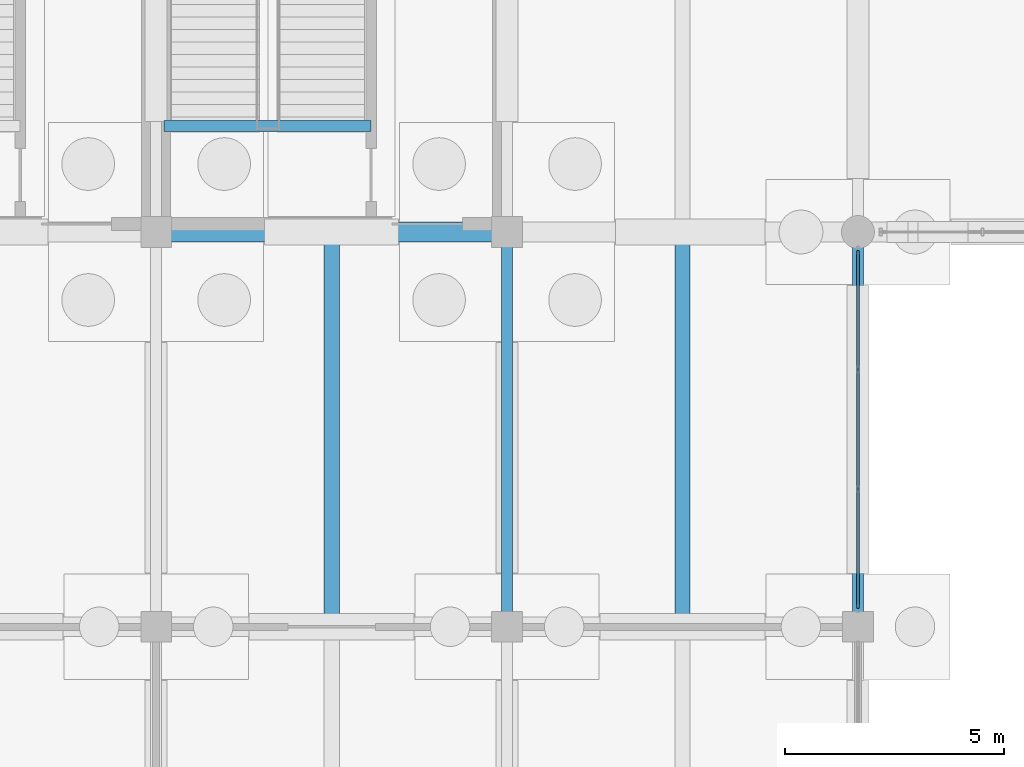
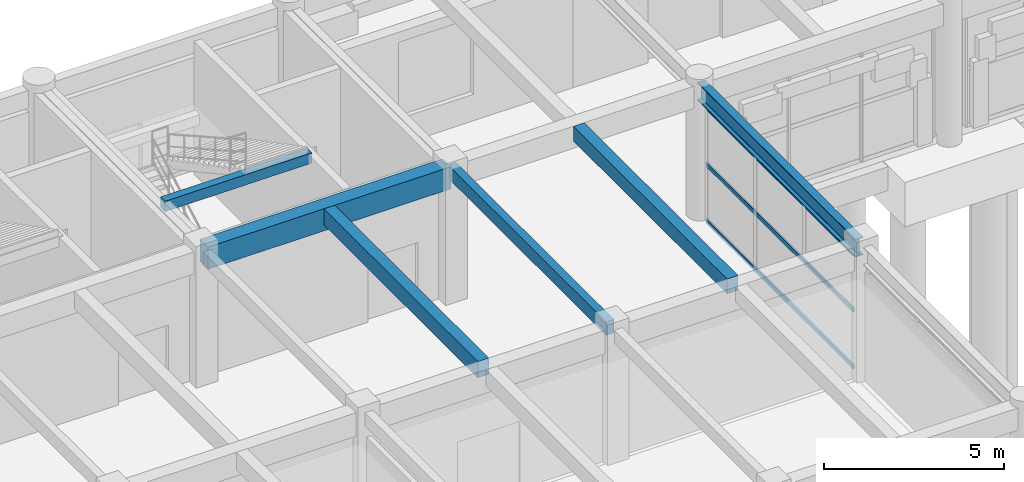
# One storey, part 53 of 147: 6 beams, 3 members, 1 element without a shape of its own.
"""IFC4 building model written with IfcOpenShell, lengths in metres."""

from ifc_helpers import new_model, si_unit, direction, frame, origin, origin_2d, place, context, subcontext, project, spatial, rectangle, hollow_rectangle, i_section, extrude, material, material_profile, profile_set, type_object, element, aggregate, save


model = new_model("IFC4")

# Units and contexts
model_context = context("Model", 3, precision=1e-05, world=origin(), true_north=direction((0.0, 1.0)))
body_context = subcontext(model_context, "Body", "Model", "MODEL_VIEW")
ifc_project = project(units=[si_unit("LENGTHUNIT", "METRE"), si_unit("AREAUNIT", "SQUARE_METRE"), si_unit("VOLUMEUNIT", "CUBIC_METRE"), si_unit("PLANEANGLEUNIT", "RADIAN"), si_unit("MASSUNIT", "GRAM", prefix="KILO")], contexts=[model_context])

# Site, building, storey
site_placement = place(None, origin())
site = spatial("IfcSite", under=ifc_project, at=site_placement, CompositionType="ELEMENT")
building_placement = place(site_placement, origin())
building = spatial("IfcBuilding", under=site, at=building_placement, Name="Varnabhumi Central Station", CompositionType="ELEMENT")
storey_placement = place(building_placement, origin())
storey = spatial("IfcBuildingStorey", under=building, at=storey_placement, Name="L00", CompositionType="ELEMENT", Elevation=0.0)

# Beams
ifc_material_1 = material(Name="Concrete M35", Category="concrete")
ifc_material_profile_1 = material_profile(ifc_material_1, rectangle(XDim=0.25, YDim=0.35009765625, at=origin_2d()), Name="Concrete M35", Category="concrete")
ifc_profile_set_1 = profile_set([ifc_material_profile_1], Name="Concrete M35")
beam_type_1 = type_object("IfcBeamType", Name="BM-RC-250x350", PredefinedType="LINTEL", material=ifc_profile_set_1)
beam_1_placement = place(storey_placement, frame((32.179931640625, 109.419921875, 4.375), z_axis=(1.0, 0.0, 0.0), x_axis=(0.0, 1.0, 0.0)))
element("IfcBeam", 1, at=beam_1_placement, inside=storey, type_object=beam_type_1, Name="ST-N4 L00 Floor Opening Trimmer Beam", PredefinedType="LINTEL", context=body_context, shape_type="SweptSolid", body=[
    extrude(rectangle(XDim=0.25, YDim=0.35009765625, at=origin_2d()), origin(), (0.0, 0.0, 1.0), 4.719970703125),
])
ifc_material_profile_2 = material_profile(ifc_material_1, rectangle(XDim=0.25, YDim=0.449951171875, at=origin_2d()), Name="Concrete M35", Category="concrete")
ifc_profile_set_2 = profile_set([ifc_material_profile_2], Name="Concrete M35")
beam_type_2 = type_object("IfcBeamType", Name="BM-RC-250x450", PredefinedType="LINTEL", material=ifc_profile_set_2)
beam_2_placement = place(storey_placement, frame((40.0, 98.10009765625, 4.324951171875), z_axis=(0.0, 1.0, 0.0), x_axis=(-1.0, 0.0, 0.0)))
element("IfcBeam", 2, at=beam_2_placement, inside=storey, type_object=beam_type_2, Name="Beam L00-6:M-N", PredefinedType="LINTEL", context=body_context, shape_type="SweptSolid", body=[
    extrude(rectangle(XDim=0.25, YDim=0.449951171875, at=origin_2d()), origin(), (0.0, 0.0, 1.0), 8.7998046875),
])
ifc_material_2 = material(Name="Concrete M40", Category="concrete")
ifc_material_profile_3 = material_profile(ifc_material_2, rectangle(XDim=0.35009765625, YDim=0.5, at=origin_2d()), Name="Concrete M40", Category="concrete")
ifc_profile_set_3 = profile_set([ifc_material_profile_3], Name="Concrete M40")
beam_type_3 = type_object("IfcBeamType", Name="BM-RC-350x500", PredefinedType="JOIST", material=ifc_profile_set_3)
beam_3_placement = place(storey_placement, frame((44.0, 98.22509765625, 4.300048828125), z_axis=(0.0, 1.0, 0.0), x_axis=(-1.0, 0.0, 0.0)))
element("IfcBeam", 3, at=beam_3_placement, inside=storey, type_object=beam_type_3, Name="Secondary Joist L00-6/7:M-N", PredefinedType="JOIST", context=body_context, shape_type="SweptSolid", body=[
    extrude(rectangle(XDim=0.35009765625, YDim=0.5, at=origin_2d()), origin(), (0.0, 0.0, 1.0), 8.5498046875),
])
ifc_material_profile_4 = material_profile(ifc_material_2, rectangle(XDim=0.35009765625, YDim=0.550048828125, at=origin_2d()), Name="Concrete M40", Category="concrete")
ifc_profile_set_4 = profile_set([ifc_material_profile_4], Name="Concrete M40")
beam_type_4 = type_object("IfcBeamType", Name="BM-RC-350x550", PredefinedType="JOIST", material=ifc_profile_set_4)
beam_4_placement = place(storey_placement, frame((36.0, 98.22509765625, 4.27490234375), z_axis=(0.0, 1.0, 0.0), x_axis=(-1.0, 0.0, 0.0)))
element("IfcBeam", 4, at=beam_4_placement, inside=storey, type_object=beam_type_4, Name="Secondary Joist L00-5/6:M-N", PredefinedType="JOIST", context=body_context, shape_type="SweptSolid", body=[
    extrude(rectangle(XDim=0.35009765625, YDim=0.550048828125, at=origin_2d()), origin(), (0.0, 0.0, 1.0), 8.5498046875),
])
ifc_material_profile_5 = material_profile(ifc_material_2, rectangle(XDim=0.449951171875, YDim=0.75, at=origin_2d()), Name="Concrete M40", Category="concrete")
ifc_profile_set_5 = profile_set([ifc_material_profile_5], Name="Concrete M40")
beam_type_5 = type_object("IfcBeamType", Name="BM-RC-450x750", PredefinedType="BEAM", material=ifc_profile_set_5)
beam_5_placement = place(storey_placement, frame((32.10009765625, 107.0, 4.175048828125), z_axis=(1.0, 0.0, 0.0), x_axis=(0.0, 1.0, 0.0)))
element("IfcBeam", 5, at=beam_5_placement, inside=storey, type_object=beam_type_5, Name="Beam L00-N:5-6", PredefinedType="BEAM", context=body_context, shape_type="SweptSolid", body=[
    extrude(rectangle(XDim=0.449951171875, YDim=0.75, at=origin_2d()), origin(), (0.0, 0.0, 1.0), 7.7998046875),
])
ifc_material_3 = material(Name="Structural steel E350", Category="steel")
ifc_material_profile_6 = material_profile(ifc_material_3, i_section(OverallWidth=0.25, OverallDepth=0.60009765625, WebThickness=0.01171875, FlangeThickness=0.023681640625, FilletRadius=0.01708984375, at=origin_2d()), Name="Structural steel E350", Category="steel")
ifc_profile_set_6 = profile_set([ifc_material_profile_6], Name="Structural steel E350")
beam_type_6 = type_object("IfcBeamType", Name="BM-SEC-ISWB600", PredefinedType="BEAM", material=ifc_profile_set_6)
beam_6_placement = place(storey_placement, frame((48.0, 98.10009765625, 4.25), z_axis=(0.0, 1.0, 0.0), x_axis=(-1.0, 0.0, 0.0)))
element("IfcBeam", 6, at=beam_6_placement, inside=storey, type_object=beam_type_6, Name="Beam L00-7:M-N", PredefinedType="BEAM", context=body_context, shape_type="SweptSolid", body=[
    extrude(i_section(OverallWidth=0.25, OverallDepth=0.60009765625, WebThickness=0.01171875, FlangeThickness=0.023681640625, FilletRadius=0.01708984375, at=origin_2d()), origin(), (0.0, 0.0, 1.0), 8.7998046875),
])

# Curtain wall, members
ifc_material_4 = material(Name="Anodised aluminium 6063-T6", Category="aluminium")
curtain_wall_type = type_object("IfcCurtainWallType", Name="CW-PATIO-LOGGIA-L0", PredefinedType="NOTDEFINED", material=ifc_material_4)
curtain_wall_placement = place(storey_placement, origin())
curtain_wall = element("IfcCurtainWall", 7, at=curtain_wall_placement, inside=storey, type_object=curtain_wall_type, Name="Curtain Wall CW-NP0E2", PredefinedType="NOTDEFINED")
ifc_material_profile_7 = material_profile(ifc_material_4, hollow_rectangle(XDim=0.06005859375, YDim=0.14990234375, WallThickness=0.00390625, InnerFilletRadius=0.001953125, OuterFilletRadius=0.006103515625, at=origin_2d()), Name="Anodised aluminium 6063-T6", Category="aluminium")
ifc_profile_set_7 = profile_set([ifc_material_profile_7], Name="Anodised aluminium 6063-T6")
member_type = type_object("IfcMemberType", Name="CW-TR-150", PredefinedType="USERDEFINED", material=ifc_profile_set_7)
member_1_placement = place(storey_placement, frame((48.0, 98.419921875, 0.0), z_axis=(0.0, 1.0, 0.0), x_axis=(-1.0, 0.0, 0.0)))
member_1 = element("IfcMember", 8, at=member_1_placement, type_object=member_type, Name="Curtain Wall Transom CW-NP0E2-T1", ObjectType="TRANSOM", PredefinedType="USERDEFINED", context=body_context, shape_type="SweptSolid", body=[
    extrude(hollow_rectangle(XDim=0.06005859375, YDim=0.14990234375, WallThickness=0.00390625, InnerFilletRadius=0.001953125, OuterFilletRadius=0.006103515625, at=origin_2d()), origin(), (0.0, 0.0, 1.0), 8.16015625),
])
member_2_placement = place(storey_placement, frame((48.0, 98.419921875, 1.919921875), z_axis=(0.0, 1.0, 0.0), x_axis=(-1.0, 0.0, 0.0)))
member_2 = element("IfcMember", 9, at=member_2_placement, type_object=member_type, Name="Curtain Wall Transom CW-NP0E2-T2", ObjectType="TRANSOM", PredefinedType="USERDEFINED", context=body_context, shape_type="SweptSolid", body=[
    extrude(hollow_rectangle(XDim=0.06005859375, YDim=0.14990234375, WallThickness=0.00390625, InnerFilletRadius=0.001953125, OuterFilletRadius=0.006103515625, at=origin_2d()), origin(), (0.0, 0.0, 1.0), 8.16015625),
])
member_3_placement = place(storey_placement, frame((48.0, 98.419921875, 3.840087890625), z_axis=(0.0, 1.0, 0.0), x_axis=(-1.0, 0.0, 0.0)))
member_3 = element("IfcMember", 10, at=member_3_placement, type_object=member_type, Name="Curtain Wall Transom CW-NP0E2-T3", ObjectType="TRANSOM", PredefinedType="USERDEFINED", context=body_context, shape_type="SweptSolid", body=[
    extrude(hollow_rectangle(XDim=0.06005859375, YDim=0.14990234375, WallThickness=0.00390625, InnerFilletRadius=0.001953125, OuterFilletRadius=0.006103515625, at=origin_2d()), origin(), (0.0, 0.0, 1.0), 8.16015625),
])
aggregate(curtain_wall, [member_1, member_2, member_3])

save(model, "model.ifc")
